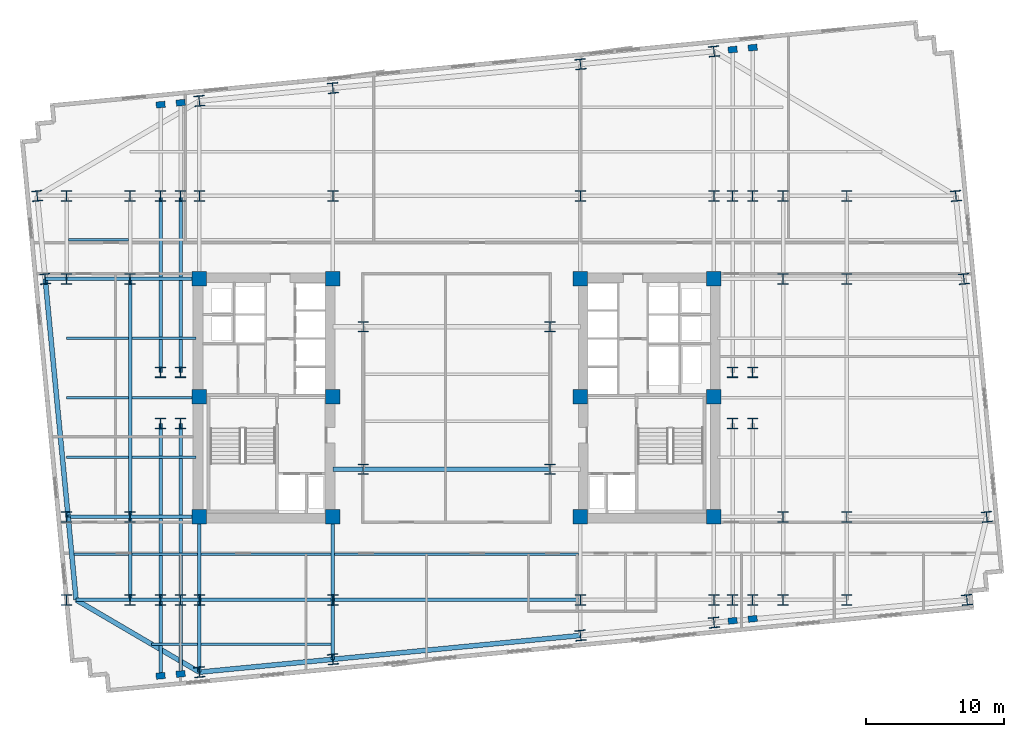
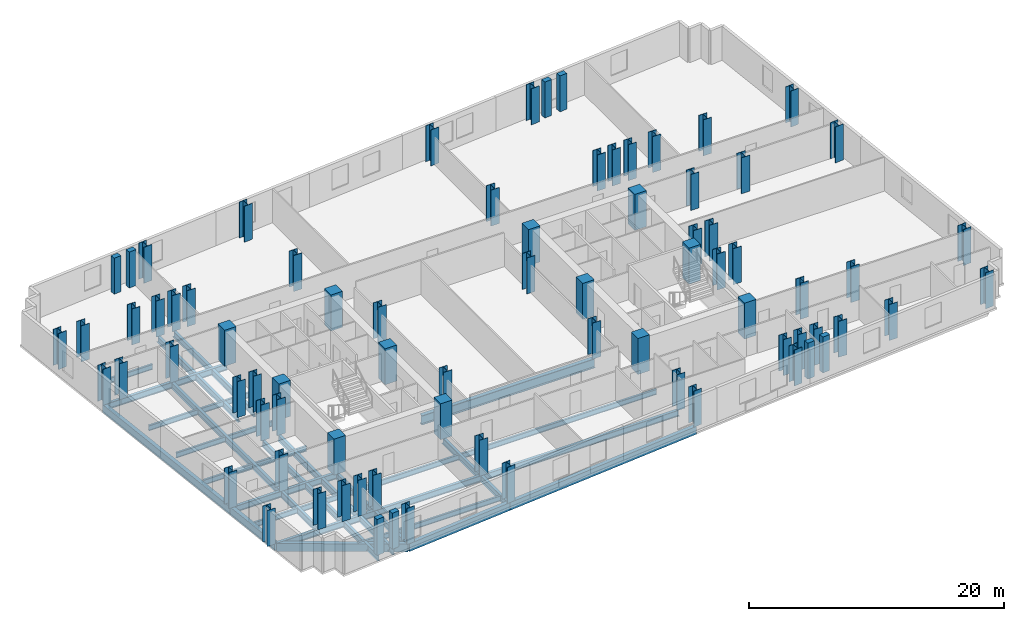
# One storey, part 1 of 10: 78 columns, 41 beams.
"""IFC4 building model written with IfcOpenShell, lengths in metres."""

from ifc_helpers import new_model, si_unit, direction, frame, origin, origin_2d, place, context, subcontext, project, spatial, rectangle, i_section, extrude, material, material_profile, profile_set, type_object, element, save


model = new_model("IFC4")

# Units and contexts
model_context = context("Model", 3, precision=1e-05, world=origin(), true_north=direction((0.0, 1.0)))
body_context = subcontext(model_context, "Body", "Model", "MODEL_VIEW")
ifc_project = project(units=[si_unit("LENGTHUNIT", "METRE"), si_unit("AREAUNIT", "SQUARE_METRE"), si_unit("VOLUMEUNIT", "CUBIC_METRE"), si_unit("PLANEANGLEUNIT", "RADIAN"), si_unit("MASSUNIT", "GRAM", prefix="KILO")], contexts=[model_context])

# Site, building, storey
site_placement = place(None, origin())
site = spatial("IfcSite", under=ifc_project, at=site_placement, CompositionType="ELEMENT")
building_placement = place(site_placement, origin())
building = spatial("IfcBuilding", under=site, at=building_placement, Name="Velakula Bourse", CompositionType="ELEMENT")
storey_placement = place(building_placement, frame((0.0, 0.0, 84.550048828125)))
storey = spatial("IfcBuildingStorey", under=building, at=storey_placement, Name="L22", CompositionType="ELEMENT", Elevation=84.550048828125)

# Columns
ifc_material_1 = material(Name="Concrete M70 (fck 70 MPa)", Category="concrete")
ifc_material_profile_1 = material_profile(ifc_material_1, rectangle(XDim=1.050048828125, YDim=1.050048828125, at=origin_2d()), Name="Concrete M70 (fck 70 MPa)")
ifc_profile_set_1 = profile_set([ifc_material_profile_1], Name="Concrete M70 (fck 70 MPa)")
column_type_1 = type_object("IfcColumnType", Name="COL-RC-1050", PredefinedType="COLUMN", material=ifc_profile_set_1)
for number, where, z_axis, x_axis, name in (
    (1, (-8.949951171875, -8.60009765625, 0.0), (0.0, 0.0, 1.0), (1.0, 0.0, 0.0), "L22 Core Boundary Column 01"),
    (2, (-8.949951171875, 0.10009765625, 0.0), (0.0, 0.0, 1.0), (1.0, 0.0, 0.0), "L22 Core Boundary Column 02"),
    (3, (-8.949951171875, 8.60009765625, 0.0), (0.0, 0.0, 1.0), (1.0, 0.0, 0.0), "L22 Core Boundary Column 03"),
    (4, (-18.60009765625, -8.60009765625, 0.0), (0.0, 0.0, 1.0), (1.0, 0.0, 0.0), "L22 Core Boundary Column 04"),
    (5, (-18.60009765625, 0.10009765625, 0.0), (0.0, 0.0, 1.0), (1.0, 0.0, 0.0), "L22 Core Boundary Column 05"),
    (6, (-18.60009765625, 8.60009765625, 0.0), (0.0, 0.0, 1.0), (1.0, 0.0, 0.0), "L22 Core Boundary Column 06"),
    (7, (8.949951171875, -8.60009765625, 0.0), (0.0, 0.0, 1.0), (1.0, 0.0, 0.0), "L22 Core Boundary Column 07"),
    (8, (8.949951171875, 0.10009765625, 0.0), (0.0, 0.0, 1.0), (1.0, 0.0, 0.0), "L22 Core Boundary Column 08"),
    (9, (8.949951171875, 8.60009765625, 0.0), (0.0, 0.0, 1.0), (1.0, 0.0, 0.0), "L22 Core Boundary Column 09"),
    (10, (18.60009765625, -8.60009765625, 0.0), (0.0, 0.0, 1.0), (1.0, 0.0, 0.0), "L22 Core Boundary Column 10"),
    (11, (18.60009765625, 0.10009765625, 0.0), (0.0, 0.0, 1.0), (1.0, 0.0, 0.0), "L22 Core Boundary Column 11"),
    (12, (18.60009765625, 8.60009765625, 0.0), (0.0, 0.0, 1.0), (1.0, 0.0, 0.0), "L22 Core Boundary Column 12"),
):
    element("IfcColumn", number, at=place(storey_placement, frame(where, z_axis=z_axis, x_axis=x_axis)), inside=storey, type_object=column_type_1, Name=name, PredefinedType="COLUMN", context=body_context, shape_type="SweptSolid", body=[
        extrude(rectangle(XDim=1.050048828125, YDim=1.050048828125, at=origin_2d()), origin(), (0.0, 0.0, 1.0), 3.449951171875),
    ])
ifc_material_2 = material(Name="Steel IS 2062 Grade 450 (E450)", Category="steel")
ifc_material_profile_2 = material_profile(ifc_material_2, i_section(OverallWidth=0.75, OverallDepth=0.75, WebThickness=0.030029296875, FlangeThickness=0.0439453125, at=origin_2d()), Name="Steel IS 2062 Grade 450 (E450)")
ifc_profile_set_2 = profile_set([ifc_material_profile_2], Name="Steel IS 2062 Grade 450 (E450)")
column_type_2 = type_object("IfcColumnType", Name="COL-STL-750", PredefinedType="COLUMN", material=ifc_profile_set_2)
for number, where, z_axis, x_axis, name in (
    (13, (-6.75, -5.14990234375, 0.0), (0.0, 0.0, 1.0), (1.0, 0.0, 0.0), "L22 Central Spine Column 01"),
    (14, (-6.75, 5.14990234375, 0.0), (0.0, 0.0, 1.0), (1.0, 0.0, 0.0), "L22 Central Spine Column 02"),
    (15, (6.75, -5.14990234375, 0.0), (0.0, 0.0, 1.0), (1.0, 0.0, 0.0), "L22 Central Spine Column 03"),
    (16, (6.75, 5.14990234375, 0.0), (0.0, 0.0, 1.0), (1.0, 0.0, 0.0), "L22 Central Spine Column 04"),
    (17, (-21.39990234375, -14.60009765625, 0.0), (0.0, 0.0, 1.0), (1.0, 0.0, 0.0), "L22 Tower Fulcrum Column 01"),
    (18, (-21.39990234375, 14.60009765625, 0.0), (0.0, 0.0, 1.0), (1.0, 0.0, 0.0), "L22 Tower Fulcrum Column 02"),
    (19, (-19.949951171875, -14.60009765625, 0.0), (0.0, 0.0, 1.0), (1.0, 0.0, 0.0), "L22 Tower Fulcrum Column 03"),
    (20, (-19.949951171875, 14.60009765625, 0.0), (0.0, 0.0, 1.0), (1.0, 0.0, 0.0), "L22 Tower Fulcrum Column 04"),
    (21, (-18.60009765625, -14.60009765625, 0.0), (0.0, 0.0, 1.0), (1.0, 0.0, 0.0), "L22 Tower Fulcrum Column 05"),
    (22, (-18.60009765625, 14.60009765625, 0.0), (0.0, 0.0, 1.0), (1.0, 0.0, 0.0), "L22 Tower Fulcrum Column 06"),
    (23, (-8.949951171875, -14.60009765625, 0.0), (0.0, 0.0, 1.0), (1.0, 0.0, 0.0), "L22 Tower Fulcrum Column 07"),
    (24, (-8.949951171875, 14.60009765625, 0.0), (0.0, 0.0, 1.0), (1.0, 0.0, 0.0), "L22 Tower Fulcrum Column 08"),
    (25, (8.949951171875, -14.60009765625, 0.0), (0.0, 0.0, 1.0), (1.0, 0.0, 0.0), "L22 Tower Fulcrum Column 09"),
    (26, (8.949951171875, 14.60009765625, 0.0), (0.0, 0.0, 1.0), (1.0, 0.0, 0.0), "L22 Tower Fulcrum Column 10"),
    (27, (18.60009765625, -14.60009765625, 0.0), (0.0, 0.0, 1.0), (1.0, 0.0, 0.0), "L22 Tower Fulcrum Column 11"),
    (28, (18.60009765625, 14.60009765625, 0.0), (0.0, 0.0, 1.0), (1.0, 0.0, 0.0), "L22 Tower Fulcrum Column 12"),
    (29, (19.949951171875, -14.60009765625, 0.0), (0.0, 0.0, 1.0), (1.0, 0.0, 0.0), "L22 Tower Fulcrum Column 13"),
    (30, (19.949951171875, 14.60009765625, 0.0), (0.0, 0.0, 1.0), (1.0, 0.0, 0.0), "L22 Tower Fulcrum Column 14"),
    (31, (21.39990234375, -14.60009765625, 0.0), (0.0, 0.0, 1.0), (1.0, 0.0, 0.0), "L22 Tower Fulcrum Column 15"),
    (32, (21.39990234375, 14.60009765625, 0.0), (0.0, 0.0, 1.0), (1.0, 0.0, 0.0), "L22 Tower Fulcrum Column 16"),
    (33, (-21.39990234375, -1.85009765625, 0.0), (0.0, 0.0, 1.0), (1.0, 0.0, 0.0), "L22 Tower Fulcrum Column 17"),
    (34, (-21.39990234375, 1.85009765625, 0.0), (0.0, 0.0, 1.0), (1.0, 0.0, 0.0), "L22 Tower Fulcrum Column 18"),
    (35, (-19.949951171875, -1.85009765625, 0.0), (0.0, 0.0, 1.0), (1.0, 0.0, 0.0), "L22 Tower Fulcrum Column 19"),
    (36, (-19.949951171875, 1.85009765625, 0.0), (0.0, 0.0, 1.0), (1.0, 0.0, 0.0), "L22 Tower Fulcrum Column 20"),
    (37, (19.949951171875, -1.85009765625, 0.0), (0.0, 0.0, 1.0), (1.0, 0.0, 0.0), "L22 Tower Fulcrum Column 21"),
    (38, (19.949951171875, 1.85009765625, 0.0), (0.0, 0.0, 1.0), (1.0, 0.0, 0.0), "L22 Tower Fulcrum Column 22"),
    (39, (21.39990234375, -1.85009765625, 0.0), (0.0, 0.0, 1.0), (1.0, 0.0, 0.0), "L22 Tower Fulcrum Column 23"),
    (40, (21.39990234375, 1.85009765625, 0.0), (0.0, 0.0, 1.0), (1.0, 0.0, 0.0), "L22 Tower Fulcrum Column 24"),
    (41, (-23.60009765625, -14.60009765625, 0.0), (0.0, 0.0, 1.0), (1.0, 0.0, 0.0), "L22 Mid-Wing Plumb Column 01"),
    (42, (-23.60009765625, -8.60009765625, 0.0), (0.0, 0.0, 1.0), (1.0, 0.0, 0.0), "L22 Mid-Wing Plumb Column 02"),
    (43, (-23.60009765625, 8.60009765625, 0.0), (0.0, 0.0, 1.0), (1.0, 0.0, 0.0), "L22 Mid-Wing Plumb Column 03"),
    (44, (-23.60009765625, 14.60009765625, 0.0), (0.0, 0.0, 1.0), (1.0, 0.0, 0.0), "L22 Mid-Wing Plumb Column 04"),
    (45, (23.60009765625, -14.60009765625, 0.0), (0.0, 0.0, 1.0), (1.0, 0.0, 0.0), "L22 Mid-Wing Plumb Column 05"),
    (46, (23.60009765625, -8.60009765625, 0.0), (0.0, 0.0, 1.0), (1.0, 0.0, 0.0), "L22 Mid-Wing Plumb Column 06"),
    (47, (23.60009765625, 8.60009765625, 0.0), (0.0, 0.0, 1.0), (1.0, 0.0, 0.0), "L22 Mid-Wing Plumb Column 07"),
    (48, (23.60009765625, 14.60009765625, 0.0), (0.0, 0.0, 1.0), (1.0, 0.0, 0.0), "L22 Mid-Wing Plumb Column 08"),
    (49, (-28.199951171875, -14.60009765625, 0.0), (0.0, 0.0, 1.0), (1.0, 0.0, 0.0), "L22 Lower Wing Column 01"),
    (50, (-28.199951171875, -8.60009765625, 0.0), (0.0, 0.0, 1.0), (1.0, 0.0, 0.0), "L22 Lower Wing Column 02"),
    (51, (-28.199951171875, 8.60009765625, 0.0), (0.0, 0.0, 1.0), (1.0, 0.0, 0.0), "L22 Lower Wing Column 03"),
    (52, (-28.199951171875, 14.60009765625, 0.0), (0.0, 0.0, 1.0), (1.0, 0.0, 0.0), "L22 Lower Wing Column 04"),
    (53, (28.199951171875, -14.60009765625, 0.0), (0.0, 0.0, 1.0), (1.0, 0.0, 0.0), "L22 Lower Wing Column 05"),
    (54, (28.199951171875, -8.60009765625, 0.0), (0.0, 0.0, 1.0), (1.0, 0.0, 0.0), "L22 Lower Wing Column 06"),
    (55, (28.199951171875, 8.60009765625, 0.0), (0.0, 0.0, 1.0), (1.0, 0.0, 0.0), "L22 Lower Wing Column 07"),
    (56, (28.199951171875, 14.60009765625, 0.0), (0.0, 0.0, 1.0), (1.0, 0.0, 0.0), "L22 Lower Wing Column 08"),
    (57, (-18.60009765625, -19.8212890625, 0.0), (0.0, 0.0, 1.0), (0.995396198367, 0.09584575252, 0.0), "L22 Block B2 Perimeter Column S1"),
    (58, (-8.949951171875, -18.89208984375, 0.0), (0.0, 0.0, 1.0), (0.995396198367, 0.09584575252, 0.0), "L22 Block B2 Perimeter Column S2"),
    (59, (8.949951171875, -17.16845703125, 0.0), (0.0, 0.0, 1.0), (0.995396198367, 0.09584575252, 0.0), "L22 Block B2 Perimeter Column S3"),
    (60, (18.60009765625, -16.2392578125, 0.0), (0.0, 0.0, 1.0), (0.995396198367, 0.09584575252, 0.0), "L22 Block B2 Perimeter Column S4"),
    (61, (-18.60009765625, 21.468994140625, 0.0), (0.0, 0.0, 1.0), (0.995396198367, 0.09584575252, 0.0), "L22 Block B2 Perimeter Column N1"),
    (62, (-8.949951171875, 22.398193359375, 0.0), (0.0, 0.0, 1.0), (0.995396198367, 0.09584575252, 0.0), "L22 Block B2 Perimeter Column N2"),
    (63, (8.949951171875, 24.12158203125, 0.0), (0.0, 0.0, 1.0), (0.995396198367, 0.09584575252, 0.0), "L22 Block B2 Perimeter Column N3"),
    (64, (18.60009765625, 25.05078125, 0.0), (0.0, 0.0, 1.0), (0.995396198367, 0.09584575252, 0.0), "L22 Block B2 Perimeter Column N4"),
    (65, (-29.7421875, 8.60009765625, 0.0), (0.0, 0.0, 1.0), (0.995396198367, 0.09584575252, 0.0), "L22 Block B2 Perimeter Column W3"),
    (66, (-30.31982421875, 14.60009765625, 0.0), (0.0, 0.0, 1.0), (0.995396198367, 0.09584575252, 0.0), "L22 Block B2 Perimeter Column W4"),
    (67, (36.88818359375, -14.60009765625, 0.0), (0.0, 0.0, 1.0), (0.995396198367, 0.09584575252, 0.0), "L22 Block B2 Perimeter Column E1"),
    (68, (38.31982421875, -8.60009765625, 0.0), (0.0, 0.0, 1.0), (0.995396198367, 0.09584575252, 0.0), "L22 Block B2 Perimeter Column E2"),
    (69, (36.66357421875, 8.60009765625, 0.0), (0.0, 0.0, 1.0), (0.995396198367, 0.09584575252, 0.0), "L22 Block B2 Perimeter Column E3"),
    (70, (36.0859375, 14.60009765625, 0.0), (0.0, 0.0, 1.0), (0.995396198367, 0.09584575252, 0.0), "L22 Block B2 Perimeter Column E4"),
):
    element("IfcColumn", number, at=place(storey_placement, frame(where, z_axis=z_axis, x_axis=x_axis)), inside=storey, type_object=column_type_2, Name=name, PredefinedType="COLUMN", context=body_context, shape_type="SweptSolid", body=[
        extrude(i_section(OverallWidth=0.75, OverallDepth=0.75, WebThickness=0.030029296875, FlangeThickness=0.0439453125, at=origin_2d()), origin(), (0.0, 0.0, 1.0), 3.449951171875),
    ])
ifc_material_3 = material(Name="Precast concrete M45 (fck 45 MPa)", Category="concrete")
ifc_material_profile_3 = material_profile(ifc_material_3, rectangle(XDim=0.64990234375, YDim=0.449951171875, at=origin_2d()), Name="Precast concrete M45 (fck 45 MPa)")
ifc_profile_set_3 = profile_set([ifc_material_profile_3], Name="Precast concrete M45 (fck 45 MPa)")
column_type_3 = type_object("IfcColumnType", Name="PIL-BRICK-650", PredefinedType="PILASTER", material=ifc_profile_set_3)
for number, where, z_axis, x_axis, name in (
    (71, (-21.39990234375, -20.0908203125, 0.0), (0.0, 0.0, 1.0), (0.995396198367, 0.09584575252, 0.0), "L22 Brick Pier Pilaster 01"),
    (72, (-19.949951171875, -19.951171875, 0.0), (0.0, 0.0, 1.0), (0.995396198367, 0.09584575252, 0.0), "L22 Brick Pier Pilaster 02"),
    (73, (19.949951171875, -16.109130859375, 0.0), (0.0, 0.0, 1.0), (0.995396198367, 0.09584575252, 0.0), "L22 Brick Pier Pilaster 03"),
    (74, (21.39990234375, -15.969482421875, 0.0), (0.0, 0.0, 1.0), (0.995396198367, 0.09584575252, 0.0), "L22 Brick Pier Pilaster 04"),
    (75, (-21.39990234375, 21.19921875, 0.0), (0.0, 0.0, 1.0), (0.995396198367, 0.09584575252, 0.0), "L22 Brick Pier Pilaster 05"),
    (76, (-19.949951171875, 21.3388671875, 0.0), (0.0, 0.0, 1.0), (0.995396198367, 0.09584575252, 0.0), "L22 Brick Pier Pilaster 06"),
    (77, (19.949951171875, 25.180908203125, 0.0), (0.0, 0.0, 1.0), (0.995396198367, 0.09584575252, 0.0), "L22 Brick Pier Pilaster 07"),
    (78, (21.39990234375, 25.320556640625, 0.0), (0.0, 0.0, 1.0), (0.995396198367, 0.09584575252, 0.0), "L22 Brick Pier Pilaster 08"),
):
    element("IfcColumn", number, at=place(storey_placement, frame(where, z_axis=z_axis, x_axis=x_axis)), inside=storey, type_object=column_type_3, Name=name, PredefinedType="PILASTER", context=body_context, shape_type="SweptSolid", body=[
        extrude(rectangle(XDim=0.64990234375, YDim=0.449951171875, at=origin_2d()), origin(), (0.0, 0.0, 1.0), 3.449951171875),
    ])

# Beams
ifc_material_4 = material(Name="Steel IS 2062 Grade 350 (E350)", Category="steel")
ifc_material_profile_4 = material_profile(ifc_material_4, i_section(OverallWidth=0.25, OverallDepth=0.60009765625, WebThickness=0.01171875, FlangeThickness=0.023681640625, at=origin_2d()), Name="Steel IS 2062 Grade 350 (E350)")
ifc_profile_set_4 = profile_set([ifc_material_profile_4], Name="Steel IS 2062 Grade 350 (E350)")
beam_type_1 = type_object("IfcBeamType", Name="BM-GRD-600H", PredefinedType="BEAM", material=ifc_profile_set_4)
for number, where, z_axis, x_axis, name in (
    (79, (-18.60009765625, -14.60009765625, -0.47998046875), (0.0, 1.0, 0.0), (-1.0, 0.0, 0.0), "L22 Fulcrum Grid Girder FLC-WS"),
    (80, (-8.949951171875, -14.60009765625, -0.47998046875), (0.0, 1.0, 0.0), (-1.0, 0.0, 0.0), "L22 Fulcrum Grid Girder FLC-WCS"),
):
    element("IfcBeam", number, at=place(storey_placement, frame(where, z_axis=z_axis, x_axis=x_axis)), inside=storey, type_object=beam_type_1, Name=name, PredefinedType="BEAM", context=body_context, shape_type="SweptSolid", body=[
        extrude(i_section(OverallWidth=0.25, OverallDepth=0.60009765625, WebThickness=0.01171875, FlangeThickness=0.023681640625, at=origin_2d()), origin(), (0.0, 0.0, 1.0), 6.0),
    ])
beam_1_placement = place(storey_placement, frame((-18.60009765625, -14.60009765625, -0.47998046875), z_axis=(1.0, 0.0, 0.0), x_axis=(0.0, 1.0, 0.0)))
element("IfcBeam", 81, at=beam_1_placement, inside=storey, type_object=beam_type_1, Name="L22 Fulcrum Grid Girder FLC-S1", PredefinedType="BEAM", context=body_context, shape_type="SweptSolid", body=[
    extrude(i_section(OverallWidth=0.25, OverallDepth=0.60009765625, WebThickness=0.01171875, FlangeThickness=0.023681640625, at=origin_2d()), origin(), (0.0, 0.0, 1.0), 9.650146484375),
])
beam_2_placement = place(storey_placement, frame((-8.949951171875, -14.60009765625, -0.47998046875), z_axis=(1.0, 0.0, 0.0), x_axis=(0.0, 1.0, 0.0)))
element("IfcBeam", 82, at=beam_2_placement, inside=storey, type_object=beam_type_1, Name="L22 Fulcrum Grid Girder FLC-S2", PredefinedType="BEAM", context=body_context, shape_type="SweptSolid", body=[
    extrude(i_section(OverallWidth=0.25, OverallDepth=0.60009765625, WebThickness=0.01171875, FlangeThickness=0.023681640625, at=origin_2d()), origin(), (0.0, 0.0, 1.0), 17.89990234375),
])
for number, where, z_axis, x_axis, name in (
    (83, (-21.39990234375, -14.60009765625, -0.47998046875), (0.0, 1.0, 0.0), (-1.0, 0.0, 0.0), "L22 Fulcrum Grid Girder FLC-PSW1"),
    (84, (-21.39990234375, 1.85009765625, -0.47998046875), (0.0, 1.0, 0.0), (-1.0, 0.0, 0.0), "L22 Fulcrum Grid Girder FLC-PNW1"),
    (85, (-19.949951171875, -14.60009765625, -0.47998046875), (0.0, 1.0, 0.0), (-1.0, 0.0, 0.0), "L22 Fulcrum Grid Girder FLC-PSW2"),
    (86, (-19.949951171875, 1.85009765625, -0.47998046875), (0.0, 1.0, 0.0), (-1.0, 0.0, 0.0), "L22 Fulcrum Grid Girder FLC-PNW2"),
):
    element("IfcBeam", number, at=place(storey_placement, frame(where, z_axis=z_axis, x_axis=x_axis)), inside=storey, type_object=beam_type_1, Name=name, PredefinedType="BEAM", context=body_context, shape_type="SweptSolid", body=[
        extrude(i_section(OverallWidth=0.25, OverallDepth=0.60009765625, WebThickness=0.01171875, FlangeThickness=0.023681640625, at=origin_2d()), origin(), (0.0, 0.0, 1.0), 12.75),
    ])
for number, where, z_axis, x_axis, name in (
    (87, (-23.60009765625, -14.60009765625, -0.47998046875), (1.0, 0.0, 0.0), (0.0, 1.0, 0.0), "L22 Fulcrum Grid Girder MWG-WS1"),
    (88, (-23.60009765625, -8.60009765625, -0.47998046875), (1.0, 0.0, 0.0), (0.0, 1.0, 0.0), "L22 Fulcrum Grid Girder MWG-WS2"),
    (89, (-23.60009765625, 8.60009765625, -0.47998046875), (1.0, 0.0, 0.0), (0.0, 1.0, 0.0), "L22 Fulcrum Grid Girder MWG-WN1"),
):
    element("IfcBeam", number, at=place(storey_placement, frame(where, z_axis=z_axis, x_axis=x_axis)), inside=storey, type_object=beam_type_1, Name=name, PredefinedType="BEAM", context=body_context, shape_type="SweptSolid", body=[
        extrude(i_section(OverallWidth=0.25, OverallDepth=0.60009765625, WebThickness=0.01171875, FlangeThickness=0.023681640625, at=origin_2d()), origin(), (0.0, 0.0, 1.0), 5.0),
    ])
beam_3_placement = place(storey_placement, frame((-23.60009765625, -14.60009765625, -0.47998046875), z_axis=(0.0, 1.0, 0.0), x_axis=(-1.0, 0.0, 0.0)))
element("IfcBeam", 90, at=beam_3_placement, inside=storey, type_object=beam_type_1, Name="L22 Fulcrum Grid Girder MWG-WNS1", PredefinedType="BEAM", context=body_context, shape_type="SweptSolid", body=[
    extrude(i_section(OverallWidth=0.25, OverallDepth=0.60009765625, WebThickness=0.01171875, FlangeThickness=0.023681640625, at=origin_2d()), origin(), (0.0, 0.0, 1.0), 6.0),
])
beam_4_placement = place(storey_placement, frame((-23.60009765625, -8.60009765625, -0.47998046875), z_axis=(0.0, 1.0, 0.0), x_axis=(-1.0, 0.0, 0.0)))
element("IfcBeam", 91, at=beam_4_placement, inside=storey, type_object=beam_type_1, Name="L22 Fulcrum Grid Girder MWG-WNS2", PredefinedType="BEAM", context=body_context, shape_type="SweptSolid", body=[
    extrude(i_section(OverallWidth=0.25, OverallDepth=0.60009765625, WebThickness=0.01171875, FlangeThickness=0.023681640625, at=origin_2d()), origin(), (0.0, 0.0, 1.0), 17.2001953125),
])
beam_5_placement = place(storey_placement, frame((-27.50830078125, -14.60009765625, -0.47998046875), z_axis=(1.0, 0.0, 0.0), x_axis=(0.0, 1.0, 0.0)))
element("IfcBeam", 92, at=beam_5_placement, inside=storey, type_object=beam_type_1, Name="L22 Fulcrum Grid Girder WNG-WS1", PredefinedType="BEAM", context=body_context, shape_type="SweptSolid", body=[
    extrude(i_section(OverallWidth=0.25, OverallDepth=0.60009765625, WebThickness=0.01171875, FlangeThickness=0.023681640625, at=origin_2d()), origin(), (0.0, 0.0, 1.0), 3.908203125),
])
beam_6_placement = place(storey_placement, frame((-28.0859375, -8.60009765625, -0.47998046875), z_axis=(1.0, 0.0, 0.0), x_axis=(0.0, 1.0, 0.0)))
element("IfcBeam", 93, at=beam_6_placement, inside=storey, type_object=beam_type_1, Name="L22 Fulcrum Grid Girder WNG-WS2", PredefinedType="BEAM", context=body_context, shape_type="SweptSolid", body=[
    extrude(i_section(OverallWidth=0.25, OverallDepth=0.60009765625, WebThickness=0.01171875, FlangeThickness=0.023681640625, at=origin_2d()), origin(), (0.0, 0.0, 1.0), 4.48583984375),
])
beam_7_placement = place(storey_placement, frame((-28.199951171875, 8.60009765625, -0.47998046875), z_axis=(1.0, 0.0, 0.0), x_axis=(0.0, 1.0, 0.0)))
element("IfcBeam", 94, at=beam_7_placement, inside=storey, type_object=beam_type_1, Name="L22 Fulcrum Grid Girder WNG-WN1", PredefinedType="BEAM", context=body_context, shape_type="SweptSolid", body=[
    extrude(i_section(OverallWidth=0.25, OverallDepth=0.60009765625, WebThickness=0.01171875, FlangeThickness=0.023681640625, at=origin_2d()), origin(), (0.0, 0.0, 1.0), 4.599853515625),
])
beam_8_placement = place(storey_placement, frame((-18.60009765625, -14.60009765625, -0.47998046875), z_axis=(0.0, -1.0, 0.0), x_axis=(1.0, 0.0, 0.0)))
element("IfcBeam", 95, at=beam_8_placement, inside=storey, type_object=beam_type_1, Name="L22 Perimeter Tie Girder S1", PredefinedType="BEAM", context=body_context, shape_type="SweptSolid", body=[
    extrude(i_section(OverallWidth=0.25, OverallDepth=0.60009765625, WebThickness=0.01171875, FlangeThickness=0.023681640625, at=origin_2d()), origin(), (0.0, 0.0, 1.0), 5.22119140625),
])
beam_9_placement = place(storey_placement, frame((-8.949951171875, -14.60009765625, -0.47998046875), z_axis=(0.0, -1.0, 0.0), x_axis=(1.0, 0.0, 0.0)))
element("IfcBeam", 96, at=beam_9_placement, inside=storey, type_object=beam_type_1, Name="L22 Perimeter Tie Girder S2", PredefinedType="BEAM", context=body_context, shape_type="SweptSolid", body=[
    extrude(i_section(OverallWidth=0.25, OverallDepth=0.60009765625, WebThickness=0.01171875, FlangeThickness=0.023681640625, at=origin_2d()), origin(), (0.0, 0.0, 1.0), 4.2919921875),
])
beam_10_placement = place(storey_placement, frame((-28.199951171875, 8.60009765625, -0.47998046875), z_axis=(-1.0, 0.0, 0.0), x_axis=(0.0, -1.0, 0.0)))
element("IfcBeam", 97, at=beam_10_placement, inside=storey, type_object=beam_type_1, Name="L22 Perimeter Tie Girder W3", PredefinedType="BEAM", context=body_context, shape_type="SweptSolid", body=[
    extrude(i_section(OverallWidth=0.25, OverallDepth=0.60009765625, WebThickness=0.01171875, FlangeThickness=0.023681640625, at=origin_2d()), origin(), (0.0, 0.0, 1.0), 1.542236328125),
])
beam_11_placement = place(storey_placement, frame((-21.39990234375, -14.60009765625, -0.47998046875), z_axis=(0.0, -1.0, 0.0), x_axis=(1.0, 0.0, 0.0)))
element("IfcBeam", 98, at=beam_11_placement, inside=storey, type_object=beam_type_1, Name="L22 Perimeter Tie Girder P01", PredefinedType="BEAM", context=body_context, shape_type="SweptSolid", body=[
    extrude(i_section(OverallWidth=0.25, OverallDepth=0.60009765625, WebThickness=0.01171875, FlangeThickness=0.023681640625, at=origin_2d()), origin(), (0.0, 0.0, 1.0), 5.49072265625),
])
beam_12_placement = place(storey_placement, frame((-19.949951171875, -14.60009765625, -0.47998046875), z_axis=(0.0, -1.0, 0.0), x_axis=(1.0, 0.0, 0.0)))
element("IfcBeam", 99, at=beam_12_placement, inside=storey, type_object=beam_type_1, Name="L22 Perimeter Tie Girder P02", PredefinedType="BEAM", context=body_context, shape_type="SweptSolid", body=[
    extrude(i_section(OverallWidth=0.25, OverallDepth=0.60009765625, WebThickness=0.01171875, FlangeThickness=0.023681640625, at=origin_2d()), origin(), (0.0, 0.0, 1.0), 5.35107421875),
])
ifc_material_profile_5 = material_profile(ifc_material_4, i_section(OverallWidth=0.35009765625, OverallDepth=0.89990234375, WebThickness=0.02001953125, FlangeThickness=0.031982421875, at=origin_2d()), Name="Steel IS 2062 Grade 350 (E350)")
ifc_profile_set_5 = profile_set([ifc_material_profile_5], Name="Steel IS 2062 Grade 350 (E350)")
beam_type_2 = type_object("IfcBeamType", Name="BM-LNK-900", PredefinedType="BEAM", material=ifc_profile_set_5)
beam_13_placement = place(storey_placement, frame((-8.949951171875, -5.14990234375, -0.630126953125), z_axis=(1.0, 0.0, 0.0), x_axis=(0.0, 1.0, 0.0)))
element("IfcBeam", 100, at=beam_13_placement, inside=storey, type_object=beam_type_2, Name="L22 Primary Backbone Girder LNK-S1", PredefinedType="BEAM", context=body_context, shape_type="SweptSolid", body=[
    extrude(i_section(OverallWidth=0.35009765625, OverallDepth=0.89990234375, WebThickness=0.02001953125, FlangeThickness=0.031982421875, at=origin_2d()), origin(), (0.0, 0.0, 1.0), 2.199951171875),
])
beam_14_placement = place(storey_placement, frame((-6.75, -5.14990234375, -0.630126953125), z_axis=(1.0, 0.0, 0.0), x_axis=(0.0, 1.0, 0.0)))
element("IfcBeam", 101, at=beam_14_placement, inside=storey, type_object=beam_type_2, Name="L22 Primary Backbone Girder LNK-S2", PredefinedType="BEAM", context=body_context, shape_type="SweptSolid", body=[
    extrude(i_section(OverallWidth=0.35009765625, OverallDepth=0.89990234375, WebThickness=0.02001953125, FlangeThickness=0.031982421875, at=origin_2d()), origin(), (0.0, 0.0, 1.0), 13.5),
])
ifc_material_profile_6 = material_profile(ifc_material_4, i_section(OverallWidth=0.179931640625, OverallDepth=0.5, WebThickness=0.01025390625, FlangeThickness=0.01708984375, at=origin_2d()), Name="Steel IS 2062 Grade 350 (E350)")
ifc_profile_set_6 = profile_set([ifc_material_profile_6], Name="Steel IS 2062 Grade 350 (E350)")
beam_type_3 = type_object("IfcBeamType", Name="JST-TWR-500", PredefinedType="JOIST", material=ifc_profile_set_6)
beam_15_placement = place(storey_placement, frame((-22.048583984375, -17.800048828125, -0.429931640625), z_axis=(1.0, 0.0, 0.0), x_axis=(0.0, 1.0, 0.0)))
element("IfcBeam", 102, at=beam_15_placement, inside=storey, type_object=beam_type_3, Name="L22 Trading Floor Composite Joist 01", PredefinedType="JOIST", context=body_context, shape_type="SweptSolid", body=[
    extrude(i_section(OverallWidth=0.179931640625, OverallDepth=0.5, WebThickness=0.01025390625, FlangeThickness=0.01708984375, at=origin_2d()), origin(), (0.0, 0.0, 1.0), 3.323486328125),
])
beam_16_placement = place(storey_placement, frame((-18.47509765625, -17.800048828125, -0.429931640625), z_axis=(1.0, 0.0, 0.0), x_axis=(0.0, 1.0, 0.0)))
element("IfcBeam", 103, at=beam_16_placement, inside=storey, type_object=beam_type_3, Name="L22 Trading Floor Composite Joist 02", PredefinedType="JOIST", context=body_context, shape_type="SweptSolid", body=[
    extrude(i_section(OverallWidth=0.179931640625, OverallDepth=0.5, WebThickness=0.01025390625, FlangeThickness=0.01708984375, at=origin_2d()), origin(), (0.0, 0.0, 1.0), 9.400146484375),
])
beam_17_placement = place(storey_placement, frame((-27.650146484375, -11.300048828125, -0.429931640625), z_axis=(1.0, 0.0, 0.0), x_axis=(0.0, 1.0, 0.0)))
element("IfcBeam", 104, at=beam_17_placement, inside=storey, type_object=beam_type_3, Name="L22 Trading Floor Composite Joist 04", PredefinedType="JOIST", context=body_context, shape_type="SweptSolid", body=[
    extrude(i_section(OverallWidth=0.179931640625, OverallDepth=0.5, WebThickness=0.01025390625, FlangeThickness=0.01708984375, at=origin_2d()), origin(), (0.0, 0.0, 1.0), 3.925048828125),
])
beam_18_placement = place(storey_placement, frame((-23.47509765625, -11.300048828125, -0.429931640625), z_axis=(1.0, 0.0, 0.0), x_axis=(0.0, 1.0, 0.0)))
element("IfcBeam", 105, at=beam_18_placement, inside=storey, type_object=beam_type_3, Name="L22 Trading Floor Composite Joist 05", PredefinedType="JOIST", context=body_context, shape_type="SweptSolid", body=[
    extrude(i_section(OverallWidth=0.179931640625, OverallDepth=0.5, WebThickness=0.01025390625, FlangeThickness=0.01708984375, at=origin_2d()), origin(), (0.0, 0.0, 1.0), 4.75),
])
beam_19_placement = place(storey_placement, frame((-18.47509765625, -11.300048828125, -0.429931640625), z_axis=(1.0, 0.0, 0.0), x_axis=(0.0, 1.0, 0.0)))
element("IfcBeam", 106, at=beam_19_placement, inside=storey, type_object=beam_type_3, Name="L22 Trading Floor Composite Joist 06", PredefinedType="JOIST", context=body_context, shape_type="SweptSolid", body=[
    extrude(i_section(OverallWidth=0.179931640625, OverallDepth=0.5, WebThickness=0.01025390625, FlangeThickness=0.01708984375, at=origin_2d()), origin(), (0.0, 0.0, 1.0), 9.400146484375),
])
beam_20_placement = place(storey_placement, frame((-8.824951171875, -11.300048828125, -0.429931640625), z_axis=(1.0, 0.0, 0.0), x_axis=(0.0, 1.0, 0.0)))
element("IfcBeam", 107, at=beam_20_placement, inside=storey, type_object=beam_type_3, Name="L22 Trading Floor Composite Joist 07", PredefinedType="JOIST", context=body_context, shape_type="SweptSolid", body=[
    extrude(i_section(OverallWidth=0.179931640625, OverallDepth=0.5, WebThickness=0.01025390625, FlangeThickness=0.01708984375, at=origin_2d()), origin(), (0.0, 0.0, 1.0), 17.64990234375),
])
beam_21_placement = place(storey_placement, frame((-28.074951171875, 11.449951171875, -0.429931640625), z_axis=(1.0, 0.0, 0.0), x_axis=(0.0, 1.0, 0.0)))
element("IfcBeam", 108, at=beam_21_placement, inside=storey, type_object=beam_type_3, Name="L22 Trading Floor Composite Joist 12", PredefinedType="JOIST", context=body_context, shape_type="SweptSolid", body=[
    extrude(i_section(OverallWidth=0.179931640625, OverallDepth=0.5, WebThickness=0.01025390625, FlangeThickness=0.01708984375, at=origin_2d()), origin(), (0.0, 0.0, 1.0), 4.349853515625),
])
beam_22_placement = place(storey_placement, frame((-28.199951171875, -4.300048828125, -0.429931640625), z_axis=(1.0, 0.0, 0.0), x_axis=(0.0, 1.0, 0.0)))
element("IfcBeam", 109, at=beam_22_placement, inside=storey, type_object=beam_type_3, Name="L22 Trading Floor Composite Joist 33", PredefinedType="JOIST", context=body_context, shape_type="SweptSolid", body=[
    extrude(i_section(OverallWidth=0.179931640625, OverallDepth=0.5, WebThickness=0.01025390625, FlangeThickness=0.01708984375, at=origin_2d()), origin(), (0.0, 0.0, 1.0), 4.474853515625),
])
beam_23_placement = place(storey_placement, frame((-23.47509765625, -4.300048828125, -0.429931640625), z_axis=(1.0, 0.0, 0.0), x_axis=(0.0, 1.0, 0.0)))
element("IfcBeam", 110, at=beam_23_placement, inside=storey, type_object=beam_type_3, Name="L22 Trading Floor Composite Joist 34", PredefinedType="JOIST", context=body_context, shape_type="SweptSolid", body=[
    extrude(i_section(OverallWidth=0.179931640625, OverallDepth=0.5, WebThickness=0.01025390625, FlangeThickness=0.01708984375, at=origin_2d()), origin(), (0.0, 0.0, 1.0), 4.625),
])
beam_24_placement = place(storey_placement, frame((-28.199951171875, 0.0, -0.429931640625), z_axis=(1.0, 0.0, 0.0), x_axis=(0.0, 1.0, 0.0)))
element("IfcBeam", 111, at=beam_24_placement, inside=storey, type_object=beam_type_3, Name="L22 Trading Floor Composite Joist 38", PredefinedType="JOIST", context=body_context, shape_type="SweptSolid", body=[
    extrude(i_section(OverallWidth=0.179931640625, OverallDepth=0.5, WebThickness=0.01025390625, FlangeThickness=0.01708984375, at=origin_2d()), origin(), (0.0, 0.0, 1.0), 4.474853515625),
])
beam_25_placement = place(storey_placement, frame((-23.47509765625, 0.0, -0.429931640625), z_axis=(1.0, 0.0, 0.0), x_axis=(0.0, 1.0, 0.0)))
element("IfcBeam", 112, at=beam_25_placement, inside=storey, type_object=beam_type_3, Name="L22 Trading Floor Composite Joist 39", PredefinedType="JOIST", context=body_context, shape_type="SweptSolid", body=[
    extrude(i_section(OverallWidth=0.179931640625, OverallDepth=0.5, WebThickness=0.01025390625, FlangeThickness=0.01708984375, at=origin_2d()), origin(), (0.0, 0.0, 1.0), 4.625),
])
beam_26_placement = place(storey_placement, frame((-28.199951171875, 4.300048828125, -0.429931640625), z_axis=(1.0, 0.0, 0.0), x_axis=(0.0, 1.0, 0.0)))
element("IfcBeam", 113, at=beam_26_placement, inside=storey, type_object=beam_type_3, Name="L22 Trading Floor Composite Joist 43", PredefinedType="JOIST", context=body_context, shape_type="SweptSolid", body=[
    extrude(i_section(OverallWidth=0.179931640625, OverallDepth=0.5, WebThickness=0.01025390625, FlangeThickness=0.01708984375, at=origin_2d()), origin(), (0.0, 0.0, 1.0), 4.474853515625),
])
beam_27_placement = place(storey_placement, frame((-23.47509765625, 4.300048828125, -0.429931640625), z_axis=(1.0, 0.0, 0.0), x_axis=(0.0, 1.0, 0.0)))
element("IfcBeam", 114, at=beam_27_placement, inside=storey, type_object=beam_type_3, Name="L22 Trading Floor Composite Joist 44", PredefinedType="JOIST", context=body_context, shape_type="SweptSolid", body=[
    extrude(i_section(OverallWidth=0.179931640625, OverallDepth=0.5, WebThickness=0.01025390625, FlangeThickness=0.01708984375, at=origin_2d()), origin(), (0.0, 0.0, 1.0), 4.625),
])
ifc_material_profile_7 = material_profile(ifc_material_3, rectangle(XDim=0.35009765625, YDim=0.75, at=origin_2d()), Name="Precast concrete M45 (fck 45 MPa)")
ifc_profile_set_7 = profile_set([ifc_material_profile_7], Name="Precast concrete M45 (fck 45 MPa)")
beam_type_4 = type_object("IfcBeamType", Name="SPN-BRICK-750", PredefinedType="SPANDREL", material=ifc_profile_set_7)
beam_28_placement = place(storey_placement, frame((-18.60009765625, -19.8212890625, -0.554931640625), z_axis=(0.99539623971, 0.095845323155, 0.0), x_axis=(-0.095845323155, 0.99539623971, 0.0)))
element("IfcBeam", 115, at=beam_28_placement, inside=storey, type_object=beam_type_4, Name="L22 Brick-Faced Precast Spandrel S1-S2", PredefinedType="SPANDREL", context=body_context, shape_type="SweptSolid", body=[
    extrude(rectangle(XDim=0.35009765625, YDim=0.75, at=origin_2d()), origin(), (0.0, 0.0, 1.0), 9.69482421875),
])
beam_29_placement = place(storey_placement, frame((-8.949951171875, -18.89208984375, -0.554931640625), z_axis=(0.995395836254, 0.095849513134, 0.0), x_axis=(-0.095849513134, 0.995395836254, 0.0)))
element("IfcBeam", 116, at=beam_29_placement, inside=storey, type_object=beam_type_4, Name="L22 Brick-Faced Precast Spandrel S2-S3", PredefinedType="SPANDREL", context=body_context, shape_type="SweptSolid", body=[
    extrude(rectangle(XDim=0.35009765625, YDim=0.75, at=origin_2d()), origin(), (0.0, 0.0, 1.0), 17.982666015625),
])
beam_30_placement = place(storey_placement, frame((-27.50830078125, -14.60009765625, -0.554931640625), z_axis=(-0.095829714309, 0.995397742541, 0.0), x_axis=(-0.995397742541, -0.095829714309, 0.0)))
element("IfcBeam", 117, at=beam_30_placement, inside=storey, type_object=beam_type_4, Name="L22 Brick-Faced Precast Spandrel W1-W2", PredefinedType="SPANDREL", context=body_context, shape_type="SweptSolid", body=[
    extrude(rectangle(XDim=0.35009765625, YDim=0.75, at=origin_2d()), origin(), (0.0, 0.0, 1.0), 6.02783203125),
])
beam_31_placement = place(storey_placement, frame((-28.0859375, -8.60009765625, -0.554931640625), z_axis=(-0.095849167925, 0.995395869495, 0.0), x_axis=(-0.995395869495, -0.095849167925, 0.0)))
element("IfcBeam", 118, at=beam_31_placement, inside=storey, type_object=beam_type_4, Name="L22 Brick-Faced Precast Spandrel W2-W3", PredefinedType="SPANDREL", context=body_context, shape_type="SweptSolid", body=[
    extrude(rectangle(XDim=0.35009765625, YDim=0.75, at=origin_2d()), origin(), (0.0, 0.0, 1.0), 17.27978515625),
])
beam_32_placement = place(storey_placement, frame((-27.50830078125, -14.60009765625, -0.554931640625), z_axis=(0.862734250413, -0.505657604674, 0.0), x_axis=(0.505657604674, 0.862734250413, 0.0)))
element("IfcBeam", 119, at=beam_32_placement, inside=storey, type_object=beam_type_4, Name="L22 Brick-Faced Precast Spandrel W1-S1", PredefinedType="SPANDREL", context=body_context, shape_type="SweptSolid", body=[
    extrude(rectangle(XDim=0.35009765625, YDim=0.75, at=origin_2d()), origin(), (0.0, 0.0, 1.0), 10.325439453125),
])

save(model, "model.ifc")
